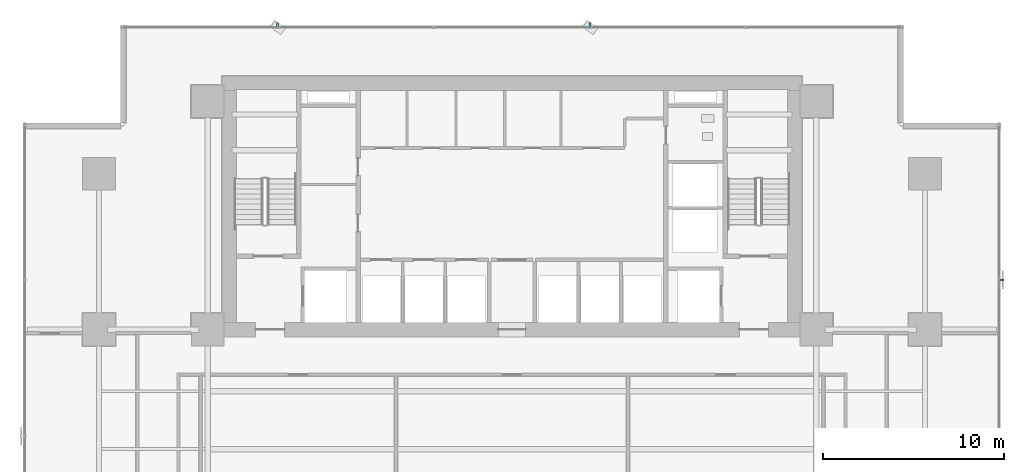
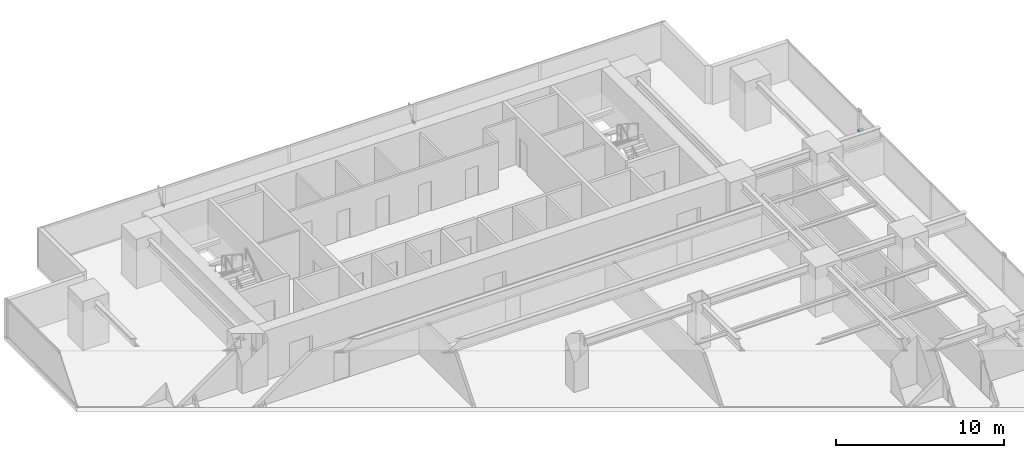
# One storey, part 29 of 34: 3 discrete accessories.
"""IFC4 building model written with IfcOpenShell, lengths in metres."""

from ifc_helpers import new_model, si_unit, direction, frame, origin, origin_2d, place, context, subcontext, project, spatial, rectangle, extrude, source, transform, mapped, material, material_profile, profile_set, type_object, element, save


model = new_model("IFC4")

# Units and contexts
model_context = context("Model", 3, precision=1e-05, world=origin(), true_north=direction((0.0, 1.0)))
body_context = subcontext(model_context, "Body", "Model", "MODEL_VIEW")
ifc_project = project(units=[si_unit("LENGTHUNIT", "METRE"), si_unit("AREAUNIT", "SQUARE_METRE"), si_unit("VOLUMEUNIT", "CUBIC_METRE"), si_unit("PLANEANGLEUNIT", "RADIAN"), si_unit("MASSUNIT", "GRAM", prefix="KILO")], contexts=[model_context])

# Site, building, storey
site_placement = place(None, origin())
site = spatial("IfcSite", under=ifc_project, at=site_placement, CompositionType="ELEMENT")
building_placement = place(site_placement, origin())
building = spatial("IfcBuilding", under=site, at=building_placement, Name="Sumidabori Civic Tower", CompositionType="ELEMENT")
storey_placement = place(building_placement, frame((0.0, 0.0, 56.0)))
storey = spatial("IfcBuildingStorey", under=building, at=storey_placement, Name="L14", CompositionType="ELEMENT", Elevation=56.0)

# Discrete accessories
ifc_material = material(Name="Stainless Steel Hairline Finish", Category="steel")
ifc_material_profile = material_profile(ifc_material, rectangle(XDim=0.1201171875, YDim=0.179931640625, at=origin_2d()), Name="STEEL BRACKET 180x120")
ifc_profile_set = profile_set([ifc_material_profile], Name="Stainless Steel Hairline Finish")
discrete_accessory_type = type_object("IfcDiscreteAccessoryType", Name="AC-BRK-180", PredefinedType="BRACKET", material=ifc_profile_set)
shared_shape = source(origin(), body_context, "Body", "SweptSolid", [
    extrude(rectangle(XDim=0.1201171875, YDim=0.179931640625, at=origin_2d()), origin(), (0.0, 0.0, 1.0), 0.329833984375),
])
for number, where, z_axis, x_axis, name in (
    (1, (26.830078125, 12.94189453125, 1.360107421875), (1.0, 0.0, 0.0), (0.0, 1.0, 0.0), "Bronze Fin Fixing Bracket L14-04"),
    (2, (4.31396484375, 26.830078125, 1.360107421875), (0.0, 1.0, 0.0), (-1.0, 0.0, 0.0), "Bronze Fin Fixing Bracket L14-02"),
    (3, (-12.94189453125, 26.830078125, 1.360107421875), (0.0, 1.0, 0.0), (-1.0, 0.0, 0.0), "Bronze Fin Fixing Bracket L14-04"),
):
    element("IfcDiscreteAccessory", number, at=place(storey_placement, frame(where, z_axis=z_axis, x_axis=x_axis)), inside=storey, type_object=discrete_accessory_type, Name=name, PredefinedType="BRACKET", context=body_context, shape_type="MappedRepresentation", body=[
        mapped(shared_shape, transform((0.0, 0.0, 0.0), x_axis=(1.0, 0.0, 0.0), y_axis=(0.0, 1.0, 0.0), z_axis=(0.0, 0.0, 1.0), scale=1.0)),
    ])

save(model, "model.ifc")
